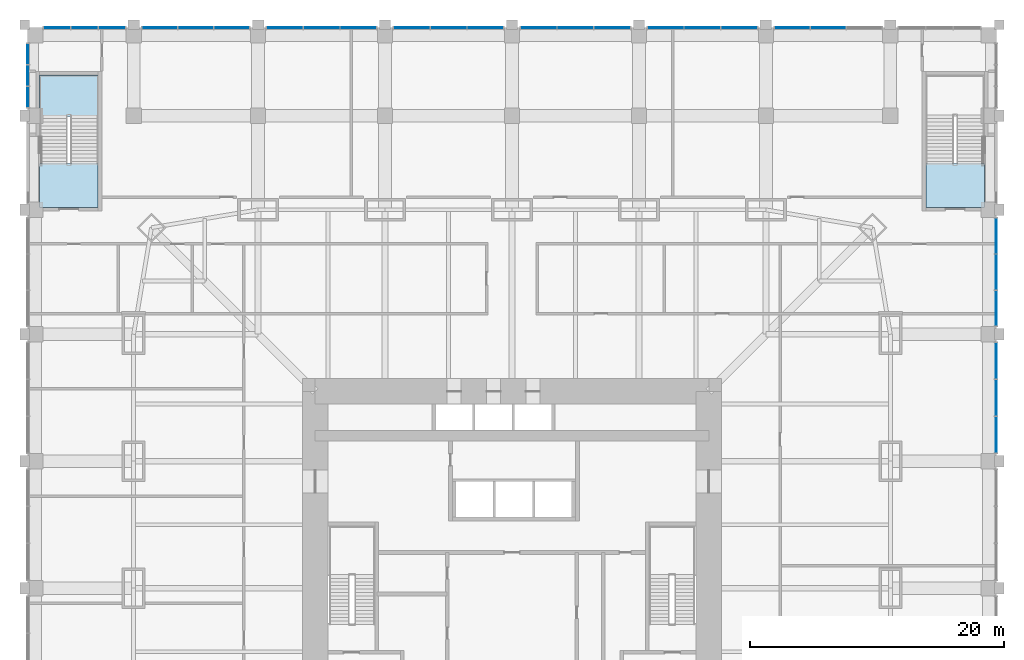
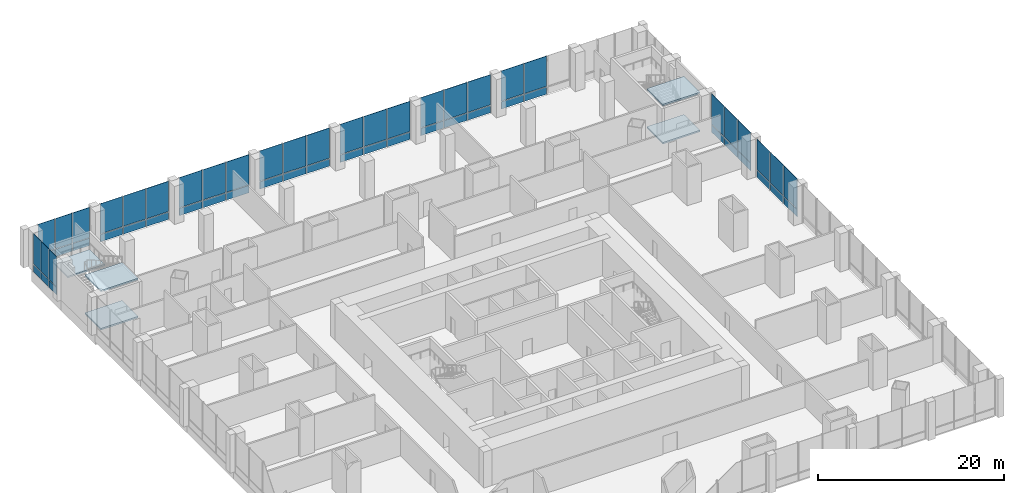
# One storey, part 15 of 24: 58 plates, 5 slabs, 12 elements without a shape of their own.
"""IFC4 building model written with IfcOpenShell, lengths in metres."""

from ifc_helpers import new_model, si_unit, direction, frame, origin, origin_2d, place, context, subcontext, project, spatial, polyline, rectangle, outline, extrude, material, layer, layer_set, type_object, element, aggregate, save


model = new_model("IFC4")

# Units and contexts
model_context = context("Model", 3, precision=1e-05, world=origin(), true_north=direction((0.0, 1.0)))
body_context = subcontext(model_context, "Body", "Model", "MODEL_VIEW")
ifc_project = project(units=[si_unit("LENGTHUNIT", "METRE"), si_unit("AREAUNIT", "SQUARE_METRE"), si_unit("VOLUMEUNIT", "CUBIC_METRE"), si_unit("PLANEANGLEUNIT", "RADIAN"), si_unit("MASSUNIT", "GRAM", prefix="KILO")], contexts=[model_context])

# Site, building, storey
site_placement = place(None, origin())
site = spatial("IfcSite", under=ifc_project, at=site_placement, CompositionType="ELEMENT")
building_placement = place(site_placement, origin())
building = spatial("IfcBuilding", under=site, at=building_placement, Name="Khuree Lantern Residences", CompositionType="ELEMENT")
storey_placement = place(building_placement, frame((0.0, 0.0, 11.0)))
storey = spatial("IfcBuildingStorey", under=building, at=storey_placement, Name="L02", CompositionType="ELEMENT", Elevation=11.0)

# Stair, slabs
ifc_material_1 = material(Name="Concrete C40/50", Category="concrete")
stair_type = type_object("IfcStairType", Name="STAIR ST3 HALF TURN 4600", PredefinedType="HALF_TURN_STAIR", material=ifc_material_1)
stair_1_placement = place(storey_placement, origin())
stair_1 = element("IfcStair", 1, at=stair_1_placement, inside=storey, type_object=stair_type, Name="Stair ST3", PredefinedType="HALF_TURN_STAIR")
ifc_layer_1 = layer(ifc_material_1, 0.199951171875)
ifc_layer_set_1 = layer_set([ifc_layer_1], Name="STAIR LANDING SL1 200")
slab_type = type_object("IfcSlabType", Name="STAIR LANDING SL1 200", PredefinedType="LANDING", material=ifc_layer_set_1)
slab_1_placement = place(storey_placement, frame((0.0, 0.0, -0.199951171875)))
slab_1 = element("IfcSlab", 2, at=slab_1_placement, type_object=slab_type, Name="ST3 landing 1", PredefinedType="LANDING", context=body_context, shape_type="SweptSolid", body=[
    extrude(outline(polyline([(-37.199951171875, 30.0), (-32.60009765625, 30.0), (-32.60009765625, 33.43994140625), (-37.199951171875, 33.43994140625), (-37.199951171875, 30.0)])), origin(), (0.0, 0.0, 1.0), 0.199951171875),
])
slab_2_placement = place(storey_placement, frame((0.0, 0.0, 2.300048828125)))
slab_2 = element("IfcSlab", 3, at=slab_2_placement, type_object=slab_type, Name="ST3 landing 2", PredefinedType="LANDING", context=body_context, shape_type="SweptSolid", body=[
    extrude(outline(polyline([(-37.199951171875, 37.159912109375), (-37.199951171875, 40.39990234375), (-32.60009765625, 40.39990234375), (-32.60009765625, 37.159912109375), (-37.199951171875, 37.159912109375)])), origin(), (0.0, 0.0, 1.0), 0.199951171875),
])
slab_3_placement = place(storey_placement, frame((0.0, 0.0, 4.800048828125)))
slab_3 = element("IfcSlab", 4, at=slab_3_placement, type_object=slab_type, Name="ST3 landing 3", PredefinedType="LANDING", context=body_context, shape_type="SweptSolid", body=[
    extrude(outline(polyline([(-37.199951171875, 30.0), (-32.60009765625, 30.0), (-32.60009765625, 33.43994140625), (-37.199951171875, 33.43994140625), (-37.199951171875, 30.0)])), origin(), (0.0, 0.0, 1.0), 0.199951171875),
])
aggregate(stair_1, [slab_1, slab_2, slab_3])

stair_2_placement = place(storey_placement, origin())
stair_2 = element("IfcStair", 5, at=stair_2_placement, inside=storey, type_object=stair_type, Name="Stair ST4", PredefinedType="HALF_TURN_STAIR")
slab_4_placement = place(storey_placement, frame((0.0, 0.0, -0.199951171875)))
slab_4 = element("IfcSlab", 6, at=slab_4_placement, type_object=slab_type, Name="ST4 landing 1", PredefinedType="LANDING", context=body_context, shape_type="SweptSolid", body=[
    extrude(outline(polyline([(32.60009765625, 30.0), (37.199951171875, 30.0), (37.199951171875, 33.43994140625), (32.60009765625, 33.43994140625), (32.60009765625, 30.0)])), origin(), (0.0, 0.0, 1.0), 0.199951171875),
])
slab_5_placement = place(storey_placement, frame((0.0, 0.0, 4.800048828125)))
slab_5 = element("IfcSlab", 7, at=slab_5_placement, type_object=slab_type, Name="ST4 landing 3", PredefinedType="LANDING", context=body_context, shape_type="SweptSolid", body=[
    extrude(outline(polyline([(32.60009765625, 30.0), (37.199951171875, 30.0), (37.199951171875, 33.43994140625), (32.60009765625, 33.43994140625), (32.60009765625, 30.0)])), origin(), (0.0, 0.0, 1.0), 0.199951171875),
])
aggregate(stair_2, [slab_4, slab_5])

# Curtain wall, plates
ifc_material_2 = material(Name="Bronze anodised aluminium", Category="aluminium")
curtain_wall_type = type_object("IfcCurtainWallType", Name="CW-P PODIUM STOREFRONT CURTAIN WALL", PredefinedType="USERDEFINED", material=ifc_material_2)
curtain_wall_1_placement = place(storey_placement, origin())
curtain_wall_1 = element("IfcCurtainWall", 8, at=curtain_wall_1_placement, inside=storey, type_object=curtain_wall_type, Name="L02 EAST FACE BAY 5 STOREFRONT", ObjectType="Storefront curtain wall", PredefinedType="USERDEFINED")
ifc_material_3 = material(Name="Bronze tinted laminated triple glazing", Category="glass")
ifc_layer_2 = layer(ifc_material_3, 0.0400390625)
ifc_layer_set_2 = layer_set([ifc_layer_2], Name="STOREFRONT GLASS PANEL P9")
plate_type_1 = type_object("IfcPlateType", Name="STOREFRONT GLASS PANEL P9", PredefinedType="CURTAIN_PANEL", material=ifc_layer_set_2)
plate_1_placement = place(storey_placement, frame((38.14990234375, 12.091552734375, 1.03759765625), z_axis=(0.0, 0.0, 1.0), x_axis=(0.0, 1.0, 0.0)))
plate_1 = element("IfcPlate", 9, at=plate_1_placement, type_object=plate_type_1, Name="L02 EAST FACE BAY 5 PANEL 1.2", PredefinedType="CURTAIN_PANEL", context=body_context, shape_type="SweptSolid", body=[
    extrude(rectangle(XDim=2.833251953125, YDim=0.0400390625, at=origin_2d()), origin(), (0.0, 0.0, 1.0), 3.96240234375),
])
plate_2_placement = place(storey_placement, frame((38.14990234375, 15.0, 1.03759765625), z_axis=(0.0, 0.0, 1.0), x_axis=(0.0, 1.0, 0.0)))
plate_2 = element("IfcPlate", 10, at=plate_2_placement, type_object=plate_type_1, Name="L02 EAST FACE BAY 5 PANEL 2.2", PredefinedType="CURTAIN_PANEL", context=body_context, shape_type="SweptSolid", body=[
    extrude(rectangle(XDim=2.833251953125, YDim=0.0400390625, at=origin_2d()), origin(), (0.0, 0.0, 1.0), 3.96240234375),
])
plate_3_placement = place(storey_placement, frame((38.14990234375, 17.908447265625, 1.03759765625), z_axis=(0.0, 0.0, 1.0), x_axis=(0.0, 1.0, 0.0)))
plate_3 = element("IfcPlate", 11, at=plate_3_placement, type_object=plate_type_1, Name="L02 EAST FACE BAY 5 PANEL 3.2", PredefinedType="CURTAIN_PANEL", context=body_context, shape_type="SweptSolid", body=[
    extrude(rectangle(XDim=2.833251953125, YDim=0.0400390625, at=origin_2d()), origin(), (0.0, 0.0, 1.0), 3.96240234375),
])

curtain_wall_2_placement = place(storey_placement, origin())
curtain_wall_2 = element("IfcCurtainWall", 12, at=curtain_wall_2_placement, inside=storey, type_object=curtain_wall_type, Name="L02 EAST FACE BAY 6 STOREFRONT", ObjectType="Storefront curtain wall", PredefinedType="USERDEFINED")
plate_4_placement = place(storey_placement, frame((38.14990234375, 22.058349609375, 1.03759765625), z_axis=(0.0, 0.0, 1.0), x_axis=(0.0, 1.0, 0.0)))
plate_4 = element("IfcPlate", 13, at=plate_4_placement, type_object=plate_type_1, Name="L02 EAST FACE BAY 6 PANEL 1.2", PredefinedType="CURTAIN_PANEL", context=body_context, shape_type="SweptSolid", body=[
    extrude(rectangle(XDim=2.7666015625, YDim=0.0400390625, at=origin_2d()), origin(), (0.0, 0.0, 1.0), 3.96240234375),
])
plate_5_placement = place(storey_placement, frame((38.14990234375, 24.89990234375, 1.03759765625), z_axis=(0.0, 0.0, 1.0), x_axis=(0.0, 1.0, 0.0)))
plate_5 = element("IfcPlate", 14, at=plate_5_placement, type_object=plate_type_1, Name="L02 EAST FACE BAY 6 PANEL 2.2", PredefinedType="CURTAIN_PANEL", context=body_context, shape_type="SweptSolid", body=[
    extrude(rectangle(XDim=2.7666015625, YDim=0.0400390625, at=origin_2d()), origin(), (0.0, 0.0, 1.0), 3.96240234375),
])
plate_6_placement = place(storey_placement, frame((38.14990234375, 27.74169921875, 1.03759765625), z_axis=(0.0, 0.0, 1.0), x_axis=(0.0, 1.0, 0.0)))
plate_6 = element("IfcPlate", 15, at=plate_6_placement, type_object=plate_type_1, Name="L02 EAST FACE BAY 6 PANEL 3.2", PredefinedType="CURTAIN_PANEL", context=body_context, shape_type="SweptSolid", body=[
    extrude(rectangle(XDim=2.7666015625, YDim=0.0400390625, at=origin_2d()), origin(), (0.0, 0.0, 1.0), 3.96240234375),
])

curtain_wall_3_placement = place(storey_placement, origin())
curtain_wall_3 = element("IfcCurtainWall", 16, at=curtain_wall_3_placement, inside=storey, type_object=curtain_wall_type, Name="L02 NORTH FACE BAY 2 STOREFRONT", ObjectType="Storefront curtain wall", PredefinedType="USERDEFINED")
plate_7_placement = place(storey_placement, frame((24.89990234375, 44.14990234375, 1.03759765625), z_axis=(0.0, 0.0, 1.0), x_axis=(-1.0, 0.0, 0.0)))
plate_7 = element("IfcPlate", 17, at=plate_7_placement, type_object=plate_type_1, Name="L02 NORTH FACE BAY 2 PANEL 2.2", PredefinedType="CURTAIN_PANEL", context=body_context, shape_type="SweptSolid", body=[
    extrude(rectangle(XDim=2.7666015625, YDim=0.0400390625, at=origin_2d()), origin(), (0.0, 0.0, 1.0), 3.96240234375),
])
plate_8_placement = place(storey_placement, frame((22.058349609375, 44.14990234375, 1.03759765625), z_axis=(0.0, 0.0, 1.0), x_axis=(-1.0, 0.0, 0.0)))
plate_8 = element("IfcPlate", 18, at=plate_8_placement, type_object=plate_type_1, Name="L02 NORTH FACE BAY 2 PANEL 3.2", PredefinedType="CURTAIN_PANEL", context=body_context, shape_type="SweptSolid", body=[
    extrude(rectangle(XDim=2.7666015625, YDim=0.0400390625, at=origin_2d()), origin(), (0.0, 0.0, 1.0), 3.96240234375),
])

curtain_wall_4_placement = place(storey_placement, origin())
curtain_wall_4 = element("IfcCurtainWall", 19, at=curtain_wall_4_placement, inside=storey, type_object=curtain_wall_type, Name="L02 NORTH FACE BAY 3 STOREFRONT", ObjectType="Storefront curtain wall", PredefinedType="USERDEFINED")
plate_9_placement = place(storey_placement, frame((17.908447265625, 44.14990234375, 1.03759765625), z_axis=(0.0, 0.0, 1.0), x_axis=(-1.0, 0.0, 0.0)))
plate_9 = element("IfcPlate", 20, at=plate_9_placement, type_object=plate_type_1, Name="L02 NORTH FACE BAY 3 PANEL 1.2", PredefinedType="CURTAIN_PANEL", context=body_context, shape_type="SweptSolid", body=[
    extrude(rectangle(XDim=2.833251953125, YDim=0.0400390625, at=origin_2d()), origin(), (0.0, 0.0, 1.0), 3.96240234375),
])
plate_10_placement = place(storey_placement, frame((15.0, 44.14990234375, 1.03759765625), z_axis=(0.0, 0.0, 1.0), x_axis=(-1.0, 0.0, 0.0)))
plate_10 = element("IfcPlate", 21, at=plate_10_placement, type_object=plate_type_1, Name="L02 NORTH FACE BAY 3 PANEL 2.2", PredefinedType="CURTAIN_PANEL", context=body_context, shape_type="SweptSolid", body=[
    extrude(rectangle(XDim=2.833251953125, YDim=0.0400390625, at=origin_2d()), origin(), (0.0, 0.0, 1.0), 3.96240234375),
])
plate_11_placement = place(storey_placement, frame((12.091552734375, 44.14990234375, 1.03759765625), z_axis=(0.0, 0.0, 1.0), x_axis=(-1.0, 0.0, 0.0)))
plate_11 = element("IfcPlate", 22, at=plate_11_placement, type_object=plate_type_1, Name="L02 NORTH FACE BAY 3 PANEL 3.2", PredefinedType="CURTAIN_PANEL", context=body_context, shape_type="SweptSolid", body=[
    extrude(rectangle(XDim=2.833251953125, YDim=0.0400390625, at=origin_2d()), origin(), (0.0, 0.0, 1.0), 3.96240234375),
])

curtain_wall_5_placement = place(storey_placement, origin())
curtain_wall_5 = element("IfcCurtainWall", 23, at=curtain_wall_5_placement, inside=storey, type_object=curtain_wall_type, Name="L02 NORTH FACE BAY 4 STOREFRONT", ObjectType="Storefront curtain wall", PredefinedType="USERDEFINED")
plate_12_placement = place(storey_placement, frame((7.908447265625, 44.14990234375, 1.03759765625), z_axis=(0.0, 0.0, 1.0), x_axis=(-1.0, 0.0, 0.0)))
plate_12 = element("IfcPlate", 24, at=plate_12_placement, type_object=plate_type_1, Name="L02 NORTH FACE BAY 4 PANEL 1.2", PredefinedType="CURTAIN_PANEL", context=body_context, shape_type="SweptSolid", body=[
    extrude(rectangle(XDim=2.833251953125, YDim=0.0400390625, at=origin_2d()), origin(), (0.0, 0.0, 1.0), 3.96240234375),
])
plate_13_placement = place(storey_placement, frame((5.0, 44.14990234375, 1.03759765625), z_axis=(0.0, 0.0, 1.0), x_axis=(-1.0, 0.0, 0.0)))
plate_13 = element("IfcPlate", 25, at=plate_13_placement, type_object=plate_type_1, Name="L02 NORTH FACE BAY 4 PANEL 2.2", PredefinedType="CURTAIN_PANEL", context=body_context, shape_type="SweptSolid", body=[
    extrude(rectangle(XDim=2.833251953125, YDim=0.0400390625, at=origin_2d()), origin(), (0.0, 0.0, 1.0), 3.96240234375),
])
plate_14_placement = place(storey_placement, frame((2.091552734375, 44.14990234375, 1.03759765625), z_axis=(0.0, 0.0, 1.0), x_axis=(-1.0, 0.0, 0.0)))
plate_14 = element("IfcPlate", 26, at=plate_14_placement, type_object=plate_type_1, Name="L02 NORTH FACE BAY 4 PANEL 3.2", PredefinedType="CURTAIN_PANEL", context=body_context, shape_type="SweptSolid", body=[
    extrude(rectangle(XDim=2.833251953125, YDim=0.0400390625, at=origin_2d()), origin(), (0.0, 0.0, 1.0), 3.96240234375),
])

curtain_wall_6_placement = place(storey_placement, origin())
curtain_wall_6 = element("IfcCurtainWall", 27, at=curtain_wall_6_placement, inside=storey, type_object=curtain_wall_type, Name="L02 NORTH FACE BAY 5 STOREFRONT", ObjectType="Storefront curtain wall", PredefinedType="USERDEFINED")
plate_15_placement = place(storey_placement, frame((-2.091552734375, 44.14990234375, 1.03759765625), z_axis=(0.0, 0.0, 1.0), x_axis=(-1.0, 0.0, 0.0)))
plate_15 = element("IfcPlate", 28, at=plate_15_placement, type_object=plate_type_1, Name="L02 NORTH FACE BAY 5 PANEL 1.2", PredefinedType="CURTAIN_PANEL", context=body_context, shape_type="SweptSolid", body=[
    extrude(rectangle(XDim=2.833251953125, YDim=0.0400390625, at=origin_2d()), origin(), (0.0, 0.0, 1.0), 3.96240234375),
])
plate_16_placement = place(storey_placement, frame((-5.0, 44.14990234375, 1.03759765625), z_axis=(0.0, 0.0, 1.0), x_axis=(-1.0, 0.0, 0.0)))
plate_16 = element("IfcPlate", 29, at=plate_16_placement, type_object=plate_type_1, Name="L02 NORTH FACE BAY 5 PANEL 2.2", PredefinedType="CURTAIN_PANEL", context=body_context, shape_type="SweptSolid", body=[
    extrude(rectangle(XDim=2.833251953125, YDim=0.0400390625, at=origin_2d()), origin(), (0.0, 0.0, 1.0), 3.96240234375),
])
plate_17_placement = place(storey_placement, frame((-7.908447265625, 44.14990234375, 1.03759765625), z_axis=(0.0, 0.0, 1.0), x_axis=(-1.0, 0.0, 0.0)))
plate_17 = element("IfcPlate", 30, at=plate_17_placement, type_object=plate_type_1, Name="L02 NORTH FACE BAY 5 PANEL 3.2", PredefinedType="CURTAIN_PANEL", context=body_context, shape_type="SweptSolid", body=[
    extrude(rectangle(XDim=2.833251953125, YDim=0.0400390625, at=origin_2d()), origin(), (0.0, 0.0, 1.0), 3.96240234375),
])

curtain_wall_7_placement = place(storey_placement, origin())
curtain_wall_7 = element("IfcCurtainWall", 31, at=curtain_wall_7_placement, inside=storey, type_object=curtain_wall_type, Name="L02 NORTH FACE BAY 6 STOREFRONT", ObjectType="Storefront curtain wall", PredefinedType="USERDEFINED")
plate_18_placement = place(storey_placement, frame((-12.091552734375, 44.14990234375, 1.03759765625), z_axis=(0.0, 0.0, 1.0), x_axis=(-1.0, 0.0, 0.0)))
plate_18 = element("IfcPlate", 32, at=plate_18_placement, type_object=plate_type_1, Name="L02 NORTH FACE BAY 6 PANEL 1.2", PredefinedType="CURTAIN_PANEL", context=body_context, shape_type="SweptSolid", body=[
    extrude(rectangle(XDim=2.833251953125, YDim=0.0400390625, at=origin_2d()), origin(), (0.0, 0.0, 1.0), 3.96240234375),
])
plate_19_placement = place(storey_placement, frame((-15.0, 44.14990234375, 1.03759765625), z_axis=(0.0, 0.0, 1.0), x_axis=(-1.0, 0.0, 0.0)))
plate_19 = element("IfcPlate", 33, at=plate_19_placement, type_object=plate_type_1, Name="L02 NORTH FACE BAY 6 PANEL 2.2", PredefinedType="CURTAIN_PANEL", context=body_context, shape_type="SweptSolid", body=[
    extrude(rectangle(XDim=2.833251953125, YDim=0.0400390625, at=origin_2d()), origin(), (0.0, 0.0, 1.0), 3.96240234375),
])
plate_20_placement = place(storey_placement, frame((-17.908447265625, 44.14990234375, 1.03759765625), z_axis=(0.0, 0.0, 1.0), x_axis=(-1.0, 0.0, 0.0)))
plate_20 = element("IfcPlate", 34, at=plate_20_placement, type_object=plate_type_1, Name="L02 NORTH FACE BAY 6 PANEL 3.2", PredefinedType="CURTAIN_PANEL", context=body_context, shape_type="SweptSolid", body=[
    extrude(rectangle(XDim=2.833251953125, YDim=0.0400390625, at=origin_2d()), origin(), (0.0, 0.0, 1.0), 3.96240234375),
])

curtain_wall_8_placement = place(storey_placement, origin())
curtain_wall_8 = element("IfcCurtainWall", 35, at=curtain_wall_8_placement, inside=storey, type_object=curtain_wall_type, Name="L02 NORTH FACE BAY 7 STOREFRONT", ObjectType="Storefront curtain wall", PredefinedType="USERDEFINED")
plate_21_placement = place(storey_placement, frame((-22.058349609375, 44.14990234375, 1.03759765625), z_axis=(0.0, 0.0, 1.0), x_axis=(-1.0, 0.0, 0.0)))
plate_21 = element("IfcPlate", 36, at=plate_21_placement, type_object=plate_type_1, Name="L02 NORTH FACE BAY 7 PANEL 1.2", PredefinedType="CURTAIN_PANEL", context=body_context, shape_type="SweptSolid", body=[
    extrude(rectangle(XDim=2.7666015625, YDim=0.0400390625, at=origin_2d()), origin(), (0.0, 0.0, 1.0), 3.96240234375),
])
plate_22_placement = place(storey_placement, frame((-24.89990234375, 44.14990234375, 1.03759765625), z_axis=(0.0, 0.0, 1.0), x_axis=(-1.0, 0.0, 0.0)))
plate_22 = element("IfcPlate", 37, at=plate_22_placement, type_object=plate_type_1, Name="L02 NORTH FACE BAY 7 PANEL 2.2", PredefinedType="CURTAIN_PANEL", context=body_context, shape_type="SweptSolid", body=[
    extrude(rectangle(XDim=2.7666015625, YDim=0.0400390625, at=origin_2d()), origin(), (0.0, 0.0, 1.0), 3.96240234375),
])
plate_23_placement = place(storey_placement, frame((-27.74169921875, 44.14990234375, 1.03759765625), z_axis=(0.0, 0.0, 1.0), x_axis=(-1.0, 0.0, 0.0)))
plate_23 = element("IfcPlate", 38, at=plate_23_placement, type_object=plate_type_1, Name="L02 NORTH FACE BAY 7 PANEL 3.2", PredefinedType="CURTAIN_PANEL", context=body_context, shape_type="SweptSolid", body=[
    extrude(rectangle(XDim=2.7666015625, YDim=0.0400390625, at=origin_2d()), origin(), (0.0, 0.0, 1.0), 3.96240234375),
])

curtain_wall_9_placement = place(storey_placement, origin())
curtain_wall_9 = element("IfcCurtainWall", 39, at=curtain_wall_9_placement, inside=storey, type_object=curtain_wall_type, Name="L02 NORTH FACE BAY 8 STOREFRONT", ObjectType="Storefront curtain wall", PredefinedType="USERDEFINED")
plate_24_placement = place(storey_placement, frame((-31.5166015625, 44.14990234375, 1.03759765625), z_axis=(0.0, 0.0, 1.0), x_axis=(-1.0, 0.0, 0.0)))
plate_24 = element("IfcPlate", 40, at=plate_24_placement, type_object=plate_type_1, Name="L02 NORTH FACE BAY 8 PANEL 1.2", PredefinedType="CURTAIN_PANEL", context=body_context, shape_type="SweptSolid", body=[
    extrude(rectangle(XDim=2.083251953125, YDim=0.0400390625, at=origin_2d()), origin(), (0.0, 0.0, 1.0), 3.96240234375),
])
plate_25_placement = place(storey_placement, frame((-33.675048828125, 44.14990234375, 1.03759765625), z_axis=(0.0, 0.0, 1.0), x_axis=(-1.0, 0.0, 0.0)))
plate_25 = element("IfcPlate", 41, at=plate_25_placement, type_object=plate_type_1, Name="L02 NORTH FACE BAY 8 PANEL 2.2", PredefinedType="CURTAIN_PANEL", context=body_context, shape_type="SweptSolid", body=[
    extrude(rectangle(XDim=2.083251953125, YDim=0.0400390625, at=origin_2d()), origin(), (0.0, 0.0, 1.0), 3.96240234375),
])
plate_26_placement = place(storey_placement, frame((-35.833251953125, 44.14990234375, 1.03759765625), z_axis=(0.0, 0.0, 1.0), x_axis=(-1.0, 0.0, 0.0)))
plate_26 = element("IfcPlate", 42, at=plate_26_placement, type_object=plate_type_1, Name="L02 NORTH FACE BAY 8 PANEL 3.2", PredefinedType="CURTAIN_PANEL", context=body_context, shape_type="SweptSolid", body=[
    extrude(rectangle(XDim=2.083251953125, YDim=0.0400390625, at=origin_2d()), origin(), (0.0, 0.0, 1.0), 3.96240234375),
])

curtain_wall_10_placement = place(storey_placement, origin())
curtain_wall_10 = element("IfcCurtainWall", 43, at=curtain_wall_10_placement, inside=storey, type_object=curtain_wall_type, Name="L02 WEST FACE BAY 1 STOREFRONT", ObjectType="Storefront curtain wall", PredefinedType="USERDEFINED")
plate_27_placement = place(storey_placement, frame((-38.14990234375, 42.066650390625, 1.03759765625), z_axis=(0.0, 0.0, 1.0), x_axis=(0.0, -1.0, 0.0)))
plate_27 = element("IfcPlate", 44, at=plate_27_placement, type_object=plate_type_1, Name="L02 WEST FACE BAY 1 PANEL 1.2", PredefinedType="CURTAIN_PANEL", context=body_context, shape_type="SweptSolid", body=[
    extrude(rectangle(XDim=1.61669921875, YDim=0.0400390625, at=origin_2d()), origin(), (0.0, 0.0, 1.0), 3.96240234375),
])
plate_28_placement = place(storey_placement, frame((-38.14990234375, 40.375, 1.03759765625), z_axis=(0.0, 0.0, 1.0), x_axis=(0.0, -1.0, 0.0)))
plate_28 = element("IfcPlate", 45, at=plate_28_placement, type_object=plate_type_1, Name="L02 WEST FACE BAY 1 PANEL 2.2", PredefinedType="CURTAIN_PANEL", context=body_context, shape_type="SweptSolid", body=[
    extrude(rectangle(XDim=1.61669921875, YDim=0.0400390625, at=origin_2d()), origin(), (0.0, 0.0, 1.0), 3.96240234375),
])
plate_29_placement = place(storey_placement, frame((-38.14990234375, 38.683349609375, 1.03759765625), z_axis=(0.0, 0.0, 1.0), x_axis=(0.0, -1.0, 0.0)))
plate_29 = element("IfcPlate", 46, at=plate_29_placement, type_object=plate_type_1, Name="L02 WEST FACE BAY 1 PANEL 3.2", PredefinedType="CURTAIN_PANEL", context=body_context, shape_type="SweptSolid", body=[
    extrude(rectangle(XDim=1.61669921875, YDim=0.0400390625, at=origin_2d()), origin(), (0.0, 0.0, 1.0), 3.96240234375),
])

# Plate
ifc_material_4 = material(Name="Bronze anodised aluminium insulated spandrel", Category="aluminium")
ifc_layer_3 = layer(ifc_material_4, 0.06005859375)
ifc_layer_set_3 = layer_set([ifc_layer_3], Name="STOREFRONT SPANDREL PANEL P10")
plate_type_2 = type_object("IfcPlateType", Name="STOREFRONT SPANDREL PANEL P10", PredefinedType="CURTAIN_PANEL", material=ifc_layer_set_3)
plate_30_placement = place(storey_placement, frame((38.14990234375, 12.091552734375, 0.0), z_axis=(0.0, 0.0, 1.0), x_axis=(0.0, 1.0, 0.0)))
plate_30 = element("IfcPlate", 47, at=plate_30_placement, type_object=plate_type_2, Name="L02 EAST FACE BAY 5 PANEL 1.1", PredefinedType="CURTAIN_PANEL", context=body_context, shape_type="SweptSolid", body=[
    extrude(rectangle(XDim=2.833251953125, YDim=0.06005859375, at=origin_2d()), origin(), (0.0, 0.0, 1.0), 0.96240234375),
])

plate_31_placement = place(storey_placement, frame((38.14990234375, 15.0, 0.0), z_axis=(0.0, 0.0, 1.0), x_axis=(0.0, 1.0, 0.0)))
plate_31 = element("IfcPlate", 48, at=plate_31_placement, type_object=plate_type_2, Name="L02 EAST FACE BAY 5 PANEL 2.1", PredefinedType="CURTAIN_PANEL", context=body_context, shape_type="SweptSolid", body=[
    extrude(rectangle(XDim=2.833251953125, YDim=0.06005859375, at=origin_2d()), origin(), (0.0, 0.0, 1.0), 0.96240234375),
])

plate_32_placement = place(storey_placement, frame((38.14990234375, 17.908447265625, 0.0), z_axis=(0.0, 0.0, 1.0), x_axis=(0.0, 1.0, 0.0)))
plate_32 = element("IfcPlate", 49, at=plate_32_placement, type_object=plate_type_2, Name="L02 EAST FACE BAY 5 PANEL 3.1", PredefinedType="CURTAIN_PANEL", context=body_context, shape_type="SweptSolid", body=[
    extrude(rectangle(XDim=2.833251953125, YDim=0.06005859375, at=origin_2d()), origin(), (0.0, 0.0, 1.0), 0.96240234375),
])

aggregate(curtain_wall_1, [plate_30, plate_1, plate_31, plate_2, plate_32, plate_3])

plate_33_placement = place(storey_placement, frame((38.14990234375, 22.058349609375, 0.0), z_axis=(0.0, 0.0, 1.0), x_axis=(0.0, 1.0, 0.0)))
plate_33 = element("IfcPlate", 50, at=plate_33_placement, type_object=plate_type_2, Name="L02 EAST FACE BAY 6 PANEL 1.1", PredefinedType="CURTAIN_PANEL", context=body_context, shape_type="SweptSolid", body=[
    extrude(rectangle(XDim=2.7666015625, YDim=0.06005859375, at=origin_2d()), origin(), (0.0, 0.0, 1.0), 0.96240234375),
])

plate_34_placement = place(storey_placement, frame((38.14990234375, 24.89990234375, 0.0), z_axis=(0.0, 0.0, 1.0), x_axis=(0.0, 1.0, 0.0)))
plate_34 = element("IfcPlate", 51, at=plate_34_placement, type_object=plate_type_2, Name="L02 EAST FACE BAY 6 PANEL 2.1", PredefinedType="CURTAIN_PANEL", context=body_context, shape_type="SweptSolid", body=[
    extrude(rectangle(XDim=2.7666015625, YDim=0.06005859375, at=origin_2d()), origin(), (0.0, 0.0, 1.0), 0.96240234375),
])

plate_35_placement = place(storey_placement, frame((38.14990234375, 27.74169921875, 0.0), z_axis=(0.0, 0.0, 1.0), x_axis=(0.0, 1.0, 0.0)))
plate_35 = element("IfcPlate", 52, at=plate_35_placement, type_object=plate_type_2, Name="L02 EAST FACE BAY 6 PANEL 3.1", PredefinedType="CURTAIN_PANEL", context=body_context, shape_type="SweptSolid", body=[
    extrude(rectangle(XDim=2.7666015625, YDim=0.06005859375, at=origin_2d()), origin(), (0.0, 0.0, 1.0), 0.96240234375),
])

aggregate(curtain_wall_2, [plate_33, plate_4, plate_34, plate_5, plate_35, plate_6])

plate_36_placement = place(storey_placement, frame((24.89990234375, 44.14990234375, 0.0), z_axis=(0.0, 0.0, 1.0), x_axis=(-1.0, 0.0, 0.0)))
plate_36 = element("IfcPlate", 53, at=plate_36_placement, type_object=plate_type_2, Name="L02 NORTH FACE BAY 2 PANEL 2.1", PredefinedType="CURTAIN_PANEL", context=body_context, shape_type="SweptSolid", body=[
    extrude(rectangle(XDim=2.7666015625, YDim=0.06005859375, at=origin_2d()), origin(), (0.0, 0.0, 1.0), 0.96240234375),
])

plate_37_placement = place(storey_placement, frame((22.058349609375, 44.14990234375, 0.0), z_axis=(0.0, 0.0, 1.0), x_axis=(-1.0, 0.0, 0.0)))
plate_37 = element("IfcPlate", 54, at=plate_37_placement, type_object=plate_type_2, Name="L02 NORTH FACE BAY 2 PANEL 3.1", PredefinedType="CURTAIN_PANEL", context=body_context, shape_type="SweptSolid", body=[
    extrude(rectangle(XDim=2.7666015625, YDim=0.06005859375, at=origin_2d()), origin(), (0.0, 0.0, 1.0), 0.96240234375),
])

aggregate(curtain_wall_3, [plate_36, plate_7, plate_37, plate_8])

plate_38_placement = place(storey_placement, frame((17.908447265625, 44.14990234375, 0.0), z_axis=(0.0, 0.0, 1.0), x_axis=(-1.0, 0.0, 0.0)))
plate_38 = element("IfcPlate", 55, at=plate_38_placement, type_object=plate_type_2, Name="L02 NORTH FACE BAY 3 PANEL 1.1", PredefinedType="CURTAIN_PANEL", context=body_context, shape_type="SweptSolid", body=[
    extrude(rectangle(XDim=2.833251953125, YDim=0.06005859375, at=origin_2d()), origin(), (0.0, 0.0, 1.0), 0.96240234375),
])

plate_39_placement = place(storey_placement, frame((15.0, 44.14990234375, 0.0), z_axis=(0.0, 0.0, 1.0), x_axis=(-1.0, 0.0, 0.0)))
plate_39 = element("IfcPlate", 56, at=plate_39_placement, type_object=plate_type_2, Name="L02 NORTH FACE BAY 3 PANEL 2.1", PredefinedType="CURTAIN_PANEL", context=body_context, shape_type="SweptSolid", body=[
    extrude(rectangle(XDim=2.833251953125, YDim=0.06005859375, at=origin_2d()), origin(), (0.0, 0.0, 1.0), 0.96240234375),
])

plate_40_placement = place(storey_placement, frame((12.091552734375, 44.14990234375, 0.0), z_axis=(0.0, 0.0, 1.0), x_axis=(-1.0, 0.0, 0.0)))
plate_40 = element("IfcPlate", 57, at=plate_40_placement, type_object=plate_type_2, Name="L02 NORTH FACE BAY 3 PANEL 3.1", PredefinedType="CURTAIN_PANEL", context=body_context, shape_type="SweptSolid", body=[
    extrude(rectangle(XDim=2.833251953125, YDim=0.06005859375, at=origin_2d()), origin(), (0.0, 0.0, 1.0), 0.96240234375),
])

aggregate(curtain_wall_4, [plate_38, plate_9, plate_39, plate_10, plate_40, plate_11])

plate_41_placement = place(storey_placement, frame((7.908447265625, 44.14990234375, 0.0), z_axis=(0.0, 0.0, 1.0), x_axis=(-1.0, 0.0, 0.0)))
plate_41 = element("IfcPlate", 58, at=plate_41_placement, type_object=plate_type_2, Name="L02 NORTH FACE BAY 4 PANEL 1.1", PredefinedType="CURTAIN_PANEL", context=body_context, shape_type="SweptSolid", body=[
    extrude(rectangle(XDim=2.833251953125, YDim=0.06005859375, at=origin_2d()), origin(), (0.0, 0.0, 1.0), 0.96240234375),
])

plate_42_placement = place(storey_placement, frame((5.0, 44.14990234375, 0.0), z_axis=(0.0, 0.0, 1.0), x_axis=(-1.0, 0.0, 0.0)))
plate_42 = element("IfcPlate", 59, at=plate_42_placement, type_object=plate_type_2, Name="L02 NORTH FACE BAY 4 PANEL 2.1", PredefinedType="CURTAIN_PANEL", context=body_context, shape_type="SweptSolid", body=[
    extrude(rectangle(XDim=2.833251953125, YDim=0.06005859375, at=origin_2d()), origin(), (0.0, 0.0, 1.0), 0.96240234375),
])

plate_43_placement = place(storey_placement, frame((2.091552734375, 44.14990234375, 0.0), z_axis=(0.0, 0.0, 1.0), x_axis=(-1.0, 0.0, 0.0)))
plate_43 = element("IfcPlate", 60, at=plate_43_placement, type_object=plate_type_2, Name="L02 NORTH FACE BAY 4 PANEL 3.1", PredefinedType="CURTAIN_PANEL", context=body_context, shape_type="SweptSolid", body=[
    extrude(rectangle(XDim=2.833251953125, YDim=0.06005859375, at=origin_2d()), origin(), (0.0, 0.0, 1.0), 0.96240234375),
])

aggregate(curtain_wall_5, [plate_41, plate_12, plate_42, plate_13, plate_43, plate_14])

plate_44_placement = place(storey_placement, frame((-2.091552734375, 44.14990234375, 0.0), z_axis=(0.0, 0.0, 1.0), x_axis=(-1.0, 0.0, 0.0)))
plate_44 = element("IfcPlate", 61, at=plate_44_placement, type_object=plate_type_2, Name="L02 NORTH FACE BAY 5 PANEL 1.1", PredefinedType="CURTAIN_PANEL", context=body_context, shape_type="SweptSolid", body=[
    extrude(rectangle(XDim=2.833251953125, YDim=0.06005859375, at=origin_2d()), origin(), (0.0, 0.0, 1.0), 0.96240234375),
])

plate_45_placement = place(storey_placement, frame((-5.0, 44.14990234375, 0.0), z_axis=(0.0, 0.0, 1.0), x_axis=(-1.0, 0.0, 0.0)))
plate_45 = element("IfcPlate", 62, at=plate_45_placement, type_object=plate_type_2, Name="L02 NORTH FACE BAY 5 PANEL 2.1", PredefinedType="CURTAIN_PANEL", context=body_context, shape_type="SweptSolid", body=[
    extrude(rectangle(XDim=2.833251953125, YDim=0.06005859375, at=origin_2d()), origin(), (0.0, 0.0, 1.0), 0.96240234375),
])

plate_46_placement = place(storey_placement, frame((-7.908447265625, 44.14990234375, 0.0), z_axis=(0.0, 0.0, 1.0), x_axis=(-1.0, 0.0, 0.0)))
plate_46 = element("IfcPlate", 63, at=plate_46_placement, type_object=plate_type_2, Name="L02 NORTH FACE BAY 5 PANEL 3.1", PredefinedType="CURTAIN_PANEL", context=body_context, shape_type="SweptSolid", body=[
    extrude(rectangle(XDim=2.833251953125, YDim=0.06005859375, at=origin_2d()), origin(), (0.0, 0.0, 1.0), 0.96240234375),
])

aggregate(curtain_wall_6, [plate_44, plate_15, plate_45, plate_16, plate_46, plate_17])

plate_47_placement = place(storey_placement, frame((-12.091552734375, 44.14990234375, 0.0), z_axis=(0.0, 0.0, 1.0), x_axis=(-1.0, 0.0, 0.0)))
plate_47 = element("IfcPlate", 64, at=plate_47_placement, type_object=plate_type_2, Name="L02 NORTH FACE BAY 6 PANEL 1.1", PredefinedType="CURTAIN_PANEL", context=body_context, shape_type="SweptSolid", body=[
    extrude(rectangle(XDim=2.833251953125, YDim=0.06005859375, at=origin_2d()), origin(), (0.0, 0.0, 1.0), 0.96240234375),
])

plate_48_placement = place(storey_placement, frame((-15.0, 44.14990234375, 0.0), z_axis=(0.0, 0.0, 1.0), x_axis=(-1.0, 0.0, 0.0)))
plate_48 = element("IfcPlate", 65, at=plate_48_placement, type_object=plate_type_2, Name="L02 NORTH FACE BAY 6 PANEL 2.1", PredefinedType="CURTAIN_PANEL", context=body_context, shape_type="SweptSolid", body=[
    extrude(rectangle(XDim=2.833251953125, YDim=0.06005859375, at=origin_2d()), origin(), (0.0, 0.0, 1.0), 0.96240234375),
])

plate_49_placement = place(storey_placement, frame((-17.908447265625, 44.14990234375, 0.0), z_axis=(0.0, 0.0, 1.0), x_axis=(-1.0, 0.0, 0.0)))
plate_49 = element("IfcPlate", 66, at=plate_49_placement, type_object=plate_type_2, Name="L02 NORTH FACE BAY 6 PANEL 3.1", PredefinedType="CURTAIN_PANEL", context=body_context, shape_type="SweptSolid", body=[
    extrude(rectangle(XDim=2.833251953125, YDim=0.06005859375, at=origin_2d()), origin(), (0.0, 0.0, 1.0), 0.96240234375),
])

aggregate(curtain_wall_7, [plate_47, plate_18, plate_48, plate_19, plate_49, plate_20])

plate_50_placement = place(storey_placement, frame((-22.058349609375, 44.14990234375, 0.0), z_axis=(0.0, 0.0, 1.0), x_axis=(-1.0, 0.0, 0.0)))
plate_50 = element("IfcPlate", 67, at=plate_50_placement, type_object=plate_type_2, Name="L02 NORTH FACE BAY 7 PANEL 1.1", PredefinedType="CURTAIN_PANEL", context=body_context, shape_type="SweptSolid", body=[
    extrude(rectangle(XDim=2.7666015625, YDim=0.06005859375, at=origin_2d()), origin(), (0.0, 0.0, 1.0), 0.96240234375),
])

plate_51_placement = place(storey_placement, frame((-24.89990234375, 44.14990234375, 0.0), z_axis=(0.0, 0.0, 1.0), x_axis=(-1.0, 0.0, 0.0)))
plate_51 = element("IfcPlate", 68, at=plate_51_placement, type_object=plate_type_2, Name="L02 NORTH FACE BAY 7 PANEL 2.1", PredefinedType="CURTAIN_PANEL", context=body_context, shape_type="SweptSolid", body=[
    extrude(rectangle(XDim=2.7666015625, YDim=0.06005859375, at=origin_2d()), origin(), (0.0, 0.0, 1.0), 0.96240234375),
])

plate_52_placement = place(storey_placement, frame((-27.74169921875, 44.14990234375, 0.0), z_axis=(0.0, 0.0, 1.0), x_axis=(-1.0, 0.0, 0.0)))
plate_52 = element("IfcPlate", 69, at=plate_52_placement, type_object=plate_type_2, Name="L02 NORTH FACE BAY 7 PANEL 3.1", PredefinedType="CURTAIN_PANEL", context=body_context, shape_type="SweptSolid", body=[
    extrude(rectangle(XDim=2.7666015625, YDim=0.06005859375, at=origin_2d()), origin(), (0.0, 0.0, 1.0), 0.96240234375),
])

aggregate(curtain_wall_8, [plate_50, plate_21, plate_51, plate_22, plate_52, plate_23])

plate_53_placement = place(storey_placement, frame((-31.5166015625, 44.14990234375, 0.0), z_axis=(0.0, 0.0, 1.0), x_axis=(-1.0, 0.0, 0.0)))
plate_53 = element("IfcPlate", 70, at=plate_53_placement, type_object=plate_type_2, Name="L02 NORTH FACE BAY 8 PANEL 1.1", PredefinedType="CURTAIN_PANEL", context=body_context, shape_type="SweptSolid", body=[
    extrude(rectangle(XDim=2.083251953125, YDim=0.06005859375, at=origin_2d()), origin(), (0.0, 0.0, 1.0), 0.96240234375),
])

plate_54_placement = place(storey_placement, frame((-33.675048828125, 44.14990234375, 0.0), z_axis=(0.0, 0.0, 1.0), x_axis=(-1.0, 0.0, 0.0)))
plate_54 = element("IfcPlate", 71, at=plate_54_placement, type_object=plate_type_2, Name="L02 NORTH FACE BAY 8 PANEL 2.1", PredefinedType="CURTAIN_PANEL", context=body_context, shape_type="SweptSolid", body=[
    extrude(rectangle(XDim=2.083251953125, YDim=0.06005859375, at=origin_2d()), origin(), (0.0, 0.0, 1.0), 0.96240234375),
])

plate_55_placement = place(storey_placement, frame((-35.833251953125, 44.14990234375, 0.0), z_axis=(0.0, 0.0, 1.0), x_axis=(-1.0, 0.0, 0.0)))
plate_55 = element("IfcPlate", 72, at=plate_55_placement, type_object=plate_type_2, Name="L02 NORTH FACE BAY 8 PANEL 3.1", PredefinedType="CURTAIN_PANEL", context=body_context, shape_type="SweptSolid", body=[
    extrude(rectangle(XDim=2.083251953125, YDim=0.06005859375, at=origin_2d()), origin(), (0.0, 0.0, 1.0), 0.96240234375),
])

aggregate(curtain_wall_9, [plate_53, plate_24, plate_54, plate_25, plate_55, plate_26])

plate_56_placement = place(storey_placement, frame((-38.14990234375, 42.066650390625, 0.0), z_axis=(0.0, 0.0, 1.0), x_axis=(0.0, -1.0, 0.0)))
plate_56 = element("IfcPlate", 73, at=plate_56_placement, type_object=plate_type_2, Name="L02 WEST FACE BAY 1 PANEL 1.1", PredefinedType="CURTAIN_PANEL", context=body_context, shape_type="SweptSolid", body=[
    extrude(rectangle(XDim=1.61669921875, YDim=0.06005859375, at=origin_2d()), origin(), (0.0, 0.0, 1.0), 0.96240234375),
])

plate_57_placement = place(storey_placement, frame((-38.14990234375, 40.375, 0.0), z_axis=(0.0, 0.0, 1.0), x_axis=(0.0, -1.0, 0.0)))
plate_57 = element("IfcPlate", 74, at=plate_57_placement, type_object=plate_type_2, Name="L02 WEST FACE BAY 1 PANEL 2.1", PredefinedType="CURTAIN_PANEL", context=body_context, shape_type="SweptSolid", body=[
    extrude(rectangle(XDim=1.61669921875, YDim=0.06005859375, at=origin_2d()), origin(), (0.0, 0.0, 1.0), 0.96240234375),
])

plate_58_placement = place(storey_placement, frame((-38.14990234375, 38.683349609375, 0.0), z_axis=(0.0, 0.0, 1.0), x_axis=(0.0, -1.0, 0.0)))
plate_58 = element("IfcPlate", 75, at=plate_58_placement, type_object=plate_type_2, Name="L02 WEST FACE BAY 1 PANEL 3.1", PredefinedType="CURTAIN_PANEL", context=body_context, shape_type="SweptSolid", body=[
    extrude(rectangle(XDim=1.61669921875, YDim=0.06005859375, at=origin_2d()), origin(), (0.0, 0.0, 1.0), 0.96240234375),
])

aggregate(curtain_wall_10, [plate_56, plate_27, plate_57, plate_28, plate_58, plate_29])

save(model, "model.ifc")
